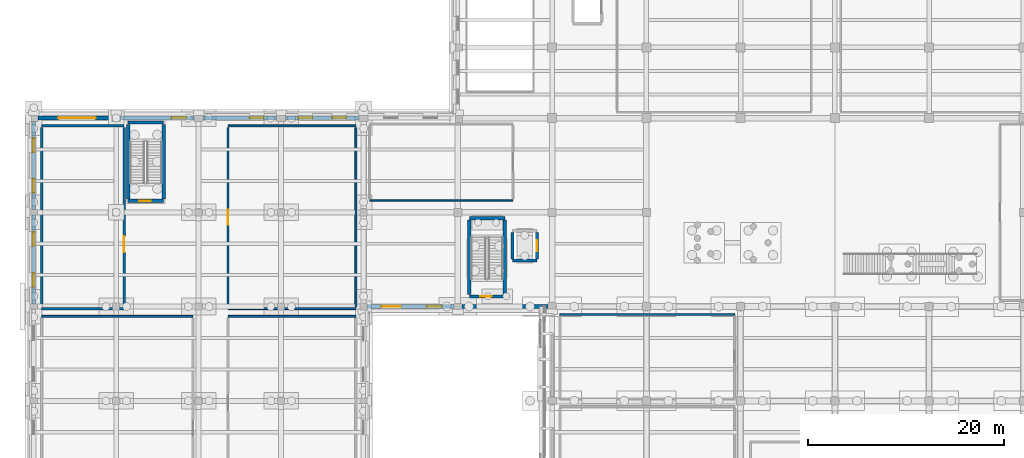
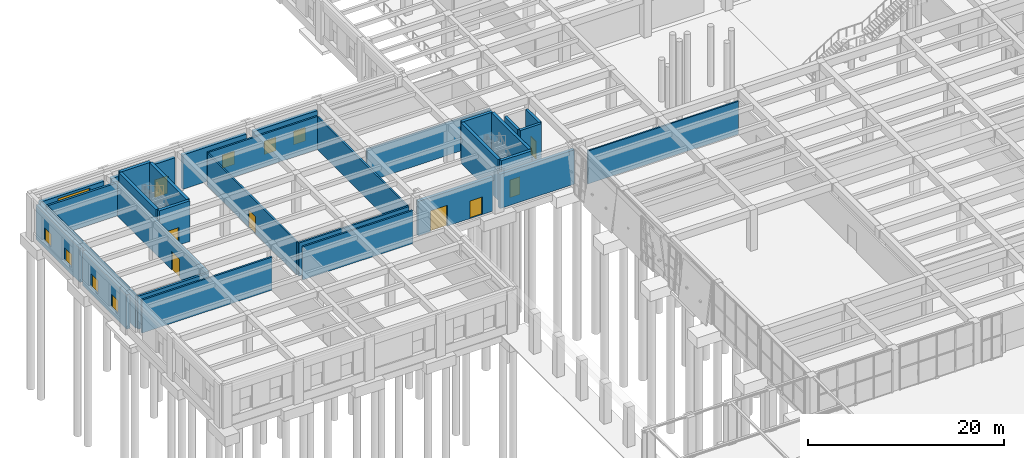
# One storey, part 32 of 51: 31 walls, 9 doors, 7 windows, 16 openings.
"""IFC4 building model written with IfcOpenShell, lengths in metres."""

from ifc_helpers import new_model, si_unit, direction, frame, frame_2d, origin, place, context, subcontext, project, spatial, rectangle, extrude, material, layer, layer_set, type_object, element, fill, save


model = new_model("IFC4")

# Units and contexts
model_context = context("Model", 3, precision=1e-05, world=origin(), true_north=direction((0.0, 1.0)))
body_context = subcontext(model_context, "Body", "Model", "MODEL_VIEW")
ifc_project = project(units=[si_unit("LENGTHUNIT", "METRE"), si_unit("AREAUNIT", "SQUARE_METRE"), si_unit("VOLUMEUNIT", "CUBIC_METRE"), si_unit("PLANEANGLEUNIT", "RADIAN"), si_unit("MASSUNIT", "GRAM", prefix="KILO")], contexts=[model_context])

# Site, building, storey
site_placement = place(None, origin())
site = spatial("IfcSite", under=ifc_project, at=site_placement, CompositionType="ELEMENT")
building_placement = place(site_placement, origin())
building = spatial("IfcBuilding", under=site, at=building_placement, Name="Bempovik Park Faculty of Sciences", CompositionType="ELEMENT")
storey_placement = place(building_placement, origin())
storey = spatial("IfcBuildingStorey", under=building, at=storey_placement, Name="L00", CompositionType="ELEMENT", Elevation=0.0)

# Wall, openings, doors
ifc_material_1 = material(Name="Precast concrete C40/50", Category="concrete")
ifc_layer_1 = layer(ifc_material_1, 0.3798828125)
ifc_layer_set_1 = layer_set([ifc_layer_1], Name="Precast concrete C40/50")
wall_type_1 = type_object("IfcWallType", Name="W-27 Wall 380mm", PredefinedType="SOLIDWALL", material=ifc_layer_set_1)
wall_1_placement = place(storey_placement, frame((41.162109375, 67.800048828125, 0.0), z_axis=(0.0, 0.0, 1.0), x_axis=(1.0, 0.0, 0.0)))
wall_1 = element("IfcWall", 1, at=wall_1_placement, inside=storey, type_object=wall_type_1, Name="L00 Classical Precast Facade Wall EW-L00-5657", PredefinedType="SOLIDWALL", context=body_context, shape_type="SweptSolid", body=[
    extrude(rectangle(XDim=8.8359375, YDim=0.3798828125, at=frame_2d((4.41796875, 0.0))), origin(), (0.0, 0.0, 1.0), 4.280029296875),
])
opening_1_placement = place(wall_1_placement, frame((1.43798828125, 0.0, 0.0)))
opening_1 = element("IfcOpeningElement", 2, at=opening_1_placement, cuts=wall_1, Name="Opening D-54", PredefinedType="OPENING", context=body_context, shape_type="SweptSolid", body=[
    extrude(rectangle(XDim=2.0, YDim=2.60009765625, at=frame_2d((1.0, 1.300048828125))), frame((0.0, 0.199951171875, 0.0), z_axis=(0.0, -1.0, 0.0), x_axis=(1.0, 0.0, 0.0)), (0.0, 0.0, 1.0), 0.39990234375),
])
opening_2_placement = place(wall_1_placement, frame((6.087890625, 0.0, 0.0)))
opening_2 = element("IfcOpeningElement", 3, at=opening_2_placement, cuts=wall_1, Name="Opening D-29", PredefinedType="OPENING", context=body_context, shape_type="SweptSolid", body=[
    extrude(rectangle(XDim=1.5, YDim=2.199951171875, at=frame_2d((0.75, 1.10009765625))), frame((0.0, 0.199951171875, 0.0), z_axis=(0.0, -1.0, 0.0), x_axis=(1.0, 0.0, 0.0)), (0.0, 0.0, 1.0), 0.39990234375),
])
ifc_material_2 = material(Name="Painted steel S355", Category="steel")
door_type_1 = type_object("IfcDoorType", Name="D-29 Door 1500x2200", OperationType="NOTDEFINED", PredefinedType="DOOR", material=ifc_material_2)
door_1_placement = place(opening_2_placement, frame((1.5, 0.0, 0.0), z_axis=(0.0, 0.0, 1.0), x_axis=(-1.0, 0.0, 0.0)))
door_1 = element("IfcDoor", 4, at=door_1_placement, inside=storey, type_object=door_type_1, Name="Stair ST-4 Final Court Discharge Door", OperationType="SINGLE_SWING_RIGHT", OverallHeight=2.199951171875, OverallWidth=1.5, PredefinedType="DOOR", context=body_context, shape_type="SweptSolid", body=[
    extrude(rectangle(XDim=1.5, YDim=2.199951171875, at=frame_2d((0.75, 1.10009765625))), frame((0.0, 0.02490234375, 0.0), z_axis=(0.0, -1.0, 0.0), x_axis=(1.0, 0.0, 0.0)), (0.0, 0.0, 1.0), 0.050048828125),
])
fill(opening_2, door_1)
ifc_material_3 = material(Name="Anodised architectural bronze")
door_type_2 = type_object("IfcDoorType", Name="D-54 Door 2000x2600", OperationType="NOTDEFINED", PredefinedType="DOOR", material=ifc_material_3)
door_2_placement = place(opening_1_placement, frame((2.0, 0.0, 0.0), z_axis=(0.0, 0.0, 1.0), x_axis=(-1.0, 0.0, 0.0)))
door_2 = element("IfcDoor", 5, at=door_2_placement, inside=storey, type_object=door_type_2, Name="West Park Court Concourse Entrance", OperationType="DOUBLE_DOOR_SINGLE_SWING", OverallHeight=2.60009765625, OverallWidth=2.0, PredefinedType="DOOR", context=body_context, shape_type="SweptSolid", body=[
    extrude(rectangle(XDim=2.0, YDim=2.60009765625, at=frame_2d((1.0, 1.300048828125))), frame((0.0, 0.02490234375, 0.0), z_axis=(0.0, -1.0, 0.0), x_axis=(1.0, 0.0, 0.0)), (0.0, 0.0, 1.0), 0.050048828125),
])
fill(opening_1, door_2)

# Wall
wall_2_placement = place(storey_placement, frame((50.802001953125, 67.800048828125, 0.0), z_axis=(0.0, 0.0, 1.0), x_axis=(1.0, 0.0, 0.0)))
element("IfcWall", 6, at=wall_2_placement, inside=storey, type_object=wall_type_1, Name="L00 Classical Precast Facade Wall EW-L00-5662", PredefinedType="SOLIDWALL", context=body_context, shape_type="SweptSolid", body=[
    extrude(rectangle(XDim=8.7958984375, YDim=0.3798828125, at=frame_2d((4.39794921875, 0.0))), origin(), (0.0, 0.0, 1.0), 4.280029296875),
])

# Wall, openings, windows
wall_3_placement = place(storey_placement, frame((7.199951171875, 68.072021484375, 0.0), z_axis=(0.0, 0.0, 1.0), x_axis=(0.0, 1.0, 0.0)))
wall_3 = element("IfcWall", 7, at=wall_3_placement, inside=storey, type_object=wall_type_1, Name="L00 Classical Precast Facade Wall EW-L00-5747", PredefinedType="SOLIDWALL", context=body_context, shape_type="SweptSolid", body=[
    extrude(rectangle(XDim=9.055908203125, YDim=0.3798828125, at=frame_2d((4.52783203125, 0.0))), origin(), (0.0, 0.0, 1.0), 4.280029296875),
])
opening_3_placement = place(wall_3_placement, frame((1.7451171875, 0.0, 0.85009765625)))
opening_3 = element("IfcOpeningElement", 8, at=opening_3_placement, cuts=wall_3, Name="Opening WN-84", PredefinedType="OPENING", context=body_context, shape_type="SweptSolid", body=[
    extrude(rectangle(XDim=1.39990234375, YDim=1.64990234375, at=frame_2d((0.699951171875, 0.824951171875))), frame((0.0, 0.199951171875, 0.0), z_axis=(0.0, -1.0, 0.0), x_axis=(1.0, 0.0, 0.0)), (0.0, 0.0, 1.0), 0.39990234375),
])
opening_4_placement = place(wall_3_placement, frame((5.910888671875, 0.0, 0.85009765625)))
opening_4 = element("IfcOpeningElement", 9, at=opening_4_placement, cuts=wall_3, Name="Opening WN-84", PredefinedType="OPENING", context=body_context, shape_type="SweptSolid", body=[
    extrude(rectangle(XDim=1.39990234375, YDim=1.64990234375, at=frame_2d((0.699951171875, 0.824951171875))), frame((0.0, 0.199951171875, 0.0), z_axis=(0.0, -1.0, 0.0), x_axis=(1.0, 0.0, 0.0)), (0.0, 0.0, 1.0), 0.39990234375),
])
ifc_material_4 = material(Name="Tempered laminated low-E glass", Category="glass")
window_type = type_object("IfcWindowType", Name="WN-84 Window 1400x1650", PartitioningType="SINGLE_PANEL", PredefinedType="WINDOW", material=ifc_material_4)
window_1_placement = place(opening_3_placement, origin())
window_1 = element("IfcWindow", 10, at=window_1_placement, inside=storey, type_object=window_type, Name="L00 Window EW-L00-5747-1", OverallHeight=1.64990234375, OverallWidth=1.39990234375, PartitioningType="SINGLE_PANEL", PredefinedType="WINDOW", context=body_context, shape_type="SweptSolid", body=[
    extrude(rectangle(XDim=1.39990234375, YDim=1.64990234375, at=frame_2d((0.699951171875, 0.824951171875))), frame((0.0, 0.030029296875, 0.0), z_axis=(0.0, -1.0, 0.0), x_axis=(1.0, 0.0, 0.0)), (0.0, 0.0, 1.0), 0.06005859375),
])
fill(opening_3, window_1)
window_2_placement = place(opening_4_placement, origin())
window_2 = element("IfcWindow", 11, at=window_2_placement, inside=storey, type_object=window_type, Name="L00 Window EW-L00-5747-2", OverallHeight=1.64990234375, OverallWidth=1.39990234375, PartitioningType="SINGLE_PANEL", PredefinedType="WINDOW", context=body_context, shape_type="SweptSolid", body=[
    extrude(rectangle(XDim=1.39990234375, YDim=1.64990234375, at=frame_2d((0.699951171875, 0.824951171875))), frame((0.0, 0.030029296875, 0.0), z_axis=(0.0, -1.0, 0.0), x_axis=(1.0, 0.0, 0.0)), (0.0, 0.0, 1.0), 0.06005859375),
])
fill(opening_4, window_2)

wall_4_placement = place(storey_placement, frame((7.199951171875, 77.672119140625, 0.0), z_axis=(0.0, 0.0, 1.0), x_axis=(0.0, 1.0, 0.0)))
wall_4 = element("IfcWall", 12, at=wall_4_placement, inside=storey, type_object=wall_type_1, Name="L00 Classical Precast Facade Wall EW-L00-5757", PredefinedType="SOLIDWALL", context=body_context, shape_type="SweptSolid", body=[
    extrude(rectangle(XDim=8.975830078125, YDim=0.3798828125, at=frame_2d((4.48779296875, 0.0))), origin(), (0.0, 0.0, 1.0), 4.280029296875),
])
opening_5_placement = place(wall_4_placement, frame((1.723388671875, 0.0, 0.85009765625)))
opening_5 = element("IfcOpeningElement", 13, at=opening_5_placement, cuts=wall_4, Name="Opening WN-84", PredefinedType="OPENING", context=body_context, shape_type="SweptSolid", body=[
    extrude(rectangle(XDim=1.39990234375, YDim=1.64990234375, at=frame_2d((0.699951171875, 0.824951171875))), frame((0.0, 0.199951171875, 0.0), z_axis=(0.0, -1.0, 0.0), x_axis=(1.0, 0.0, 0.0)), (0.0, 0.0, 1.0), 0.39990234375),
])
opening_6_placement = place(wall_4_placement, frame((5.8525390625, 0.0, 0.85009765625)))
opening_6 = element("IfcOpeningElement", 14, at=opening_6_placement, cuts=wall_4, Name="Opening WN-84", PredefinedType="OPENING", context=body_context, shape_type="SweptSolid", body=[
    extrude(rectangle(XDim=1.39990234375, YDim=1.64990234375, at=frame_2d((0.699951171875, 0.824951171875))), frame((0.0, 0.199951171875, 0.0), z_axis=(0.0, -1.0, 0.0), x_axis=(1.0, 0.0, 0.0)), (0.0, 0.0, 1.0), 0.39990234375),
])
window_3_placement = place(opening_5_placement, origin())
window_3 = element("IfcWindow", 15, at=window_3_placement, inside=storey, type_object=window_type, Name="L00 Window EW-L00-5757-1", OverallHeight=1.64990234375, OverallWidth=1.39990234375, PartitioningType="SINGLE_PANEL", PredefinedType="WINDOW", context=body_context, shape_type="SweptSolid", body=[
    extrude(rectangle(XDim=1.39990234375, YDim=1.64990234375, at=frame_2d((0.699951171875, 0.824951171875))), frame((0.0, 0.030029296875, 0.0), z_axis=(0.0, -1.0, 0.0), x_axis=(1.0, 0.0, 0.0)), (0.0, 0.0, 1.0), 0.06005859375),
])
fill(opening_5, window_3)
window_4_placement = place(opening_6_placement, origin())
window_4 = element("IfcWindow", 16, at=window_4_placement, inside=storey, type_object=window_type, Name="L00 Window EW-L00-5757-2", OverallHeight=1.64990234375, OverallWidth=1.39990234375, PartitioningType="SINGLE_PANEL", PredefinedType="WINDOW", context=body_context, shape_type="SweptSolid", body=[
    extrude(rectangle(XDim=1.39990234375, YDim=1.64990234375, at=frame_2d((0.699951171875, 0.824951171875))), frame((0.0, 0.030029296875, 0.0), z_axis=(0.0, -1.0, 0.0), x_axis=(1.0, 0.0, 0.0)), (0.0, 0.0, 1.0), 0.06005859375),
])
fill(opening_6, window_4)

# Wall, opening, door
wall_5_placement = place(storey_placement, frame((7.652099609375, 87.0, 0.0), z_axis=(0.0, 0.0, 1.0), x_axis=(1.0, 0.0, 0.0)))
wall_5 = element("IfcWall", 17, at=wall_5_placement, inside=storey, type_object=wall_type_1, Name="L00 Classical Precast Facade Wall EW-L00-5767", PredefinedType="SOLIDWALL", context=body_context, shape_type="SweptSolid", body=[
    extrude(rectangle(XDim=7.495849609375, YDim=0.3798828125, at=frame_2d((3.748046875, 0.0))), origin(), (0.0, 0.0, 1.0), 4.280029296875),
])
opening_7_placement = place(wall_5_placement, frame((2.048095703125, 0.0, 0.0)))
opening_7 = element("IfcOpeningElement", 18, at=opening_7_placement, cuts=wall_5, Name="Opening VG-02", PredefinedType="OPENING", context=body_context, shape_type="SweptSolid", body=[
    extrude(rectangle(XDim=3.800048828125, YDim=4.0, at=frame_2d((1.89990234375, 2.0))), frame((0.0, 0.199951171875, 0.0), z_axis=(0.0, -1.0, 0.0), x_axis=(1.0, 0.0, 0.0)), (0.0, 0.0, 1.0), 0.39990234375),
])
door_type_3 = type_object("IfcDoorType", Name="VG-02 Gate 3800x4000", OperationType="NOTDEFINED", PredefinedType="GATE", material=ifc_material_2)
door_3_placement = place(opening_7_placement, origin())
door_3 = element("IfcDoor", 19, at=door_3_placement, inside=storey, type_object=door_type_3, Name="Service Loading Bay Roller Shutter Gate VG-02", OperationType="ROLLINGUP", OverallHeight=4.0, OverallWidth=3.800048828125, PredefinedType="GATE", context=body_context, shape_type="SweptSolid", body=[
    extrude(rectangle(XDim=3.800048828125, YDim=4.0, at=frame_2d((1.89990234375, 2.0))), frame((0.0, 0.02490234375, 0.0), z_axis=(0.0, -1.0, 0.0), x_axis=(1.0, 0.0, 0.0)), (0.0, 0.0, 1.0), 0.050048828125),
])
fill(opening_7, door_3)

wall_6_placement = place(storey_placement, frame((16.052001953125, 87.0, 0.0), z_axis=(0.0, 0.0, 1.0), x_axis=(1.0, 0.0, 0.0)))
wall_6 = element("IfcWall", 20, at=wall_6_placement, inside=storey, type_object=wall_type_1, Name="L00 Classical Precast Facade Wall EW-L00-5772", PredefinedType="SOLIDWALL", context=body_context, shape_type="SweptSolid", body=[
    extrude(rectangle(XDim=7.49609375, YDim=0.3798828125, at=frame_2d((3.748046875, 0.0))), origin(), (0.0, 0.0, 1.0), 4.280029296875),
])
opening_8_placement = place(wall_6_placement, frame((5.197998046875, 0.0, 0.0)))
opening_8 = element("IfcOpeningElement", 21, at=opening_8_placement, cuts=wall_6, Name="Opening D-29", PredefinedType="OPENING", context=body_context, shape_type="SweptSolid", body=[
    extrude(rectangle(XDim=1.5, YDim=2.199951171875, at=frame_2d((0.75, 1.10009765625))), frame((0.0, 0.199951171875, 0.0), z_axis=(0.0, -1.0, 0.0), x_axis=(1.0, 0.0, 0.0)), (0.0, 0.0, 1.0), 0.39990234375),
])
door_4_placement = place(opening_8_placement, origin())
door_4 = element("IfcDoor", 22, at=door_4_placement, inside=storey, type_object=door_type_1, Name="Stair ST-3 Final Street Discharge Door", OperationType="SINGLE_SWING_LEFT", OverallHeight=2.199951171875, OverallWidth=1.5, PredefinedType="DOOR", context=body_context, shape_type="SweptSolid", body=[
    extrude(rectangle(XDim=1.5, YDim=2.199951171875, at=frame_2d((0.75, 1.10009765625))), frame((0.0, 0.02490234375, 0.0), z_axis=(0.0, -1.0, 0.0), x_axis=(1.0, 0.0, 0.0)), (0.0, 0.0, 1.0), 0.050048828125),
])
fill(opening_8, door_4)

# Wall, opening, window
wall_7_placement = place(storey_placement, frame((24.451904296875, 87.0, 0.0), z_axis=(0.0, 0.0, 1.0), x_axis=(1.0, 0.0, 0.0)))
wall_7 = element("IfcWall", 23, at=wall_7_placement, inside=storey, type_object=wall_type_1, Name="L00 Classical Precast Facade Wall EW-L00-5776", PredefinedType="SOLIDWALL", context=body_context, shape_type="SweptSolid", body=[
    extrude(rectangle(XDim=7.49609375, YDim=0.3798828125, at=frame_2d((3.748046875, 0.0))), origin(), (0.0, 0.0, 1.0), 4.280029296875),
])
opening_9_placement = place(wall_7_placement, frame((4.772216796875, 0.0, 0.85009765625)))
opening_9 = element("IfcOpeningElement", 24, at=opening_9_placement, cuts=wall_7, Name="Opening WN-84", PredefinedType="OPENING", context=body_context, shape_type="SweptSolid", body=[
    extrude(rectangle(XDim=1.39990234375, YDim=1.64990234375, at=frame_2d((0.699951171875, 0.824951171875))), frame((0.0, 0.199951171875, 0.0), z_axis=(0.0, -1.0, 0.0), x_axis=(1.0, 0.0, 0.0)), (0.0, 0.0, 1.0), 0.39990234375),
])
window_5_placement = place(opening_9_placement, origin())
window_5 = element("IfcWindow", 25, at=window_5_placement, inside=storey, type_object=window_type, Name="L00 Window EW-L00-5776-2", OverallHeight=1.64990234375, OverallWidth=1.39990234375, PartitioningType="SINGLE_PANEL", PredefinedType="WINDOW", context=body_context, shape_type="SweptSolid", body=[
    extrude(rectangle(XDim=1.39990234375, YDim=1.64990234375, at=frame_2d((0.699951171875, 0.824951171875))), frame((0.0, 0.030029296875, 0.0), z_axis=(0.0, -1.0, 0.0), x_axis=(1.0, 0.0, 0.0)), (0.0, 0.0, 1.0), 0.06005859375),
])
fill(opening_9, window_5)

# Wall, openings, windows
wall_8_placement = place(storey_placement, frame((32.85205078125, 87.0, 0.0), z_axis=(0.0, 0.0, 1.0), x_axis=(1.0, 0.0, 0.0)))
wall_8 = element("IfcWall", 26, at=wall_8_placement, inside=storey, type_object=wall_type_1, Name="L00 Classical Precast Facade Wall EW-L00-5784", PredefinedType="SOLIDWALL", context=body_context, shape_type="SweptSolid", body=[
    extrude(rectangle(XDim=7.495849609375, YDim=0.3798828125, at=frame_2d((3.748046875, 0.0))), origin(), (0.0, 0.0, 1.0), 4.280029296875),
])
opening_10_placement = place(wall_8_placement, frame((1.323974609375, 0.0, 0.85009765625)))
opening_10 = element("IfcOpeningElement", 27, at=opening_10_placement, cuts=wall_8, Name="Opening WN-84", PredefinedType="OPENING", context=body_context, shape_type="SweptSolid", body=[
    extrude(rectangle(XDim=1.39990234375, YDim=1.64990234375, at=frame_2d((0.699951171875, 0.824951171875))), frame((0.0, 0.199951171875, 0.0), z_axis=(0.0, -1.0, 0.0), x_axis=(1.0, 0.0, 0.0)), (0.0, 0.0, 1.0), 0.39990234375),
])
opening_11_placement = place(wall_8_placement, frame((4.772216796875, 0.0, 0.85009765625)))
opening_11 = element("IfcOpeningElement", 28, at=opening_11_placement, cuts=wall_8, Name="Opening WN-84", PredefinedType="OPENING", context=body_context, shape_type="SweptSolid", body=[
    extrude(rectangle(XDim=1.39990234375, YDim=1.64990234375, at=frame_2d((0.699951171875, 0.824951171875))), frame((0.0, 0.199951171875, 0.0), z_axis=(0.0, -1.0, 0.0), x_axis=(1.0, 0.0, 0.0)), (0.0, 0.0, 1.0), 0.39990234375),
])
window_6_placement = place(opening_10_placement, origin())
window_6 = element("IfcWindow", 29, at=window_6_placement, inside=storey, type_object=window_type, Name="L00 Window EW-L00-5784-1", OverallHeight=1.64990234375, OverallWidth=1.39990234375, PartitioningType="SINGLE_PANEL", PredefinedType="WINDOW", context=body_context, shape_type="SweptSolid", body=[
    extrude(rectangle(XDim=1.39990234375, YDim=1.64990234375, at=frame_2d((0.699951171875, 0.824951171875))), frame((0.0, 0.030029296875, 0.0), z_axis=(0.0, -1.0, 0.0), x_axis=(1.0, 0.0, 0.0)), (0.0, 0.0, 1.0), 0.06005859375),
])
fill(opening_10, window_6)
window_7_placement = place(opening_11_placement, origin())
window_7 = element("IfcWindow", 30, at=window_7_placement, inside=storey, type_object=window_type, Name="L00 Window EW-L00-5784-2", OverallHeight=1.64990234375, OverallWidth=1.39990234375, PartitioningType="SINGLE_PANEL", PredefinedType="WINDOW", context=body_context, shape_type="SweptSolid", body=[
    extrude(rectangle(XDim=1.39990234375, YDim=1.64990234375, at=frame_2d((0.699951171875, 0.824951171875))), frame((0.0, 0.030029296875, 0.0), z_axis=(0.0, -1.0, 0.0), x_axis=(1.0, 0.0, 0.0)), (0.0, 0.0, 1.0), 0.06005859375),
])
fill(opening_11, window_7)

# Walls
ifc_material_5 = material(Name="Concrete C40/50", Category="concrete")
ifc_layer_2 = layer(ifc_material_5, 0.300048828125)
ifc_layer_set_2 = layer_set([ifc_layer_2], Name="Concrete C40/50")
wall_type_2 = type_object("IfcWallType", Name="W-31 Wall 300mm", PredefinedType="SHEAR", material=ifc_layer_set_2)
wall_9_placement = place(storey_placement, frame((55.949951171875, 72.5, 0.0), z_axis=(0.0, 0.0, 1.0), x_axis=(1.0, 0.0, 0.0)))
element("IfcWall", 31, at=wall_9_placement, inside=storey, type_object=wall_type_2, Name="Lift LF-3 L00 Shaft Wall South", PredefinedType="SHEAR", context=body_context, shape_type="SweptSolid", body=[
    extrude(rectangle(XDim=2.5, YDim=0.300048828125, at=frame_2d((1.25, 0.0))), origin(), (0.0, 0.0, 1.0), 5.080078125),
])
wall_10_placement = place(storey_placement, frame((55.949951171875, 72.64990234375, 0.0), z_axis=(0.0, 0.0, 1.0), x_axis=(0.0, 1.0, 0.0)))
element("IfcWall", 32, at=wall_10_placement, inside=storey, type_object=wall_type_2, Name="Lift LF-3 L00 Shaft Wall West", PredefinedType="SHEAR", context=body_context, shape_type="SweptSolid", body=[
    extrude(rectangle(XDim=2.7001953125, YDim=0.300048828125, at=frame_2d((1.35009765625, 0.0))), origin(), (0.0, 0.0, 1.0), 5.080078125),
])

# Wall, opening, door
wall_11_placement = place(storey_placement, frame((58.449951171875, 72.64990234375, 0.0), z_axis=(0.0, 0.0, 1.0), x_axis=(0.0, 1.0, 0.0)))
wall_11 = element("IfcWall", 33, at=wall_11_placement, inside=storey, type_object=wall_type_2, Name="Lift LF-3 L00 Shaft Wall East", PredefinedType="SHEAR", context=body_context, shape_type="SweptSolid", body=[
    extrude(rectangle(XDim=2.7001953125, YDim=0.300048828125, at=frame_2d((1.35009765625, 0.0))), origin(), (0.0, 0.0, 1.0), 5.080078125),
])
opening_12_placement = place(wall_11_placement, frame((0.800048828125, 0.0, 0.0)))
opening_12 = element("IfcOpeningElement", 34, at=opening_12_placement, cuts=wall_11, Name="Opening LD-02", PredefinedType="OPENING", context=body_context, shape_type="SweptSolid", body=[
    extrude(rectangle(XDim=1.10009765625, YDim=2.199951171875, at=frame_2d((0.550048828125, 1.10009765625))), frame((0.0, 0.16015625, 0.0), z_axis=(0.0, -1.0, 0.0), x_axis=(1.0, 0.0, 0.0)), (0.0, 0.0, 1.0), 0.320068359375),
])
ifc_material_6 = material(Name="Anodised aluminium", Category="aluminium")
door_type_4 = type_object("IfcDoorType", Name="LD-02 Door 1100x2200", OperationType="NOTDEFINED", PredefinedType="DOOR", material=ifc_material_6)
door_5_placement = place(opening_12_placement, origin())
door_5 = element("IfcDoor", 35, at=door_5_placement, inside=storey, type_object=door_type_4, Name="Lift LF-3 L00 Sliding Landing Door", OperationType="SLIDING_TO_LEFT", OverallHeight=2.199951171875, OverallWidth=1.10009765625, PredefinedType="DOOR", context=body_context, shape_type="SweptSolid", body=[
    extrude(rectangle(XDim=1.10009765625, YDim=2.199951171875, at=frame_2d((0.550048828125, 1.10009765625))), frame((0.0, 0.02490234375, 0.0), z_axis=(0.0, -1.0, 0.0), x_axis=(1.0, 0.0, 0.0)), (0.0, 0.0, 1.0), 0.050048828125),
])
fill(opening_12, door_5)

# Walls
ifc_material_7 = material(Name="Concrete C35/45", Category="concrete")
ifc_layer_3 = layer(ifc_material_7, 0.25)
ifc_layer_set_3 = layer_set([ifc_layer_3], Name="Concrete C35/45")
wall_type_3 = type_object("IfcWallType", Name="W-32 Wall 250mm", PredefinedType="PARTITIONING", material=ifc_layer_set_3)
for number, where, z_axis, x_axis, name in (
    (36, (8.0, 67.60009765625, 0.0), (0.0, 0.0, 1.0), (1.0, 0.0, 0.0), "L00 Service Loading Bay and Goods Reception Partition South"),
    (37, (8.0, 86.199951171875, 0.0), (0.0, 0.0, 1.0), (1.0, 0.0, 0.0), "L00 Service Loading Bay and Goods Reception Partition North"),
):
    element("IfcWall", number, at=place(storey_placement, frame(where, z_axis=z_axis, x_axis=x_axis)), inside=storey, type_object=wall_type_3, Name=name, PredefinedType="PARTITIONING", context=body_context, shape_type="SweptSolid", body=[
        extrude(rectangle(XDim=8.39990234375, YDim=0.25, at=frame_2d((4.199951171875, 0.0))), origin(), (0.0, 0.0, 1.0), 4.1201171875),
    ])
wall_12_placement = place(storey_placement, frame((8.0, 67.760009765625, 0.0), z_axis=(0.0, 0.0, 1.0), x_axis=(0.0, 1.0, 0.0)))
element("IfcWall", 38, at=wall_12_placement, inside=storey, type_object=wall_type_3, Name="L00 Service Loading Bay and Goods Reception Partition West", PredefinedType="PARTITIONING", context=body_context, shape_type="SweptSolid", body=[
    extrude(rectangle(XDim=18.280029296875, YDim=0.25, at=frame_2d((9.14013671875, 0.0))), origin(), (0.0, 0.0, 1.0), 4.1201171875),
])

# Wall, opening, door
wall_13_placement = place(storey_placement, frame((16.39990234375, 67.760009765625, 0.0), z_axis=(0.0, 0.0, 1.0), x_axis=(0.0, 1.0, 0.0)))
wall_13 = element("IfcWall", 39, at=wall_13_placement, inside=storey, type_object=wall_type_3, Name="L00 Service Loading Bay and Goods Reception Partition East", PredefinedType="PARTITIONING", context=body_context, shape_type="SweptSolid", body=[
    extrude(rectangle(XDim=18.280029296875, YDim=0.25, at=frame_2d((9.14013671875, 0.0))), origin(), (0.0, 0.0, 1.0), 4.1201171875),
])
opening_13_placement = place(wall_13_placement, frame((5.597900390625, 0.0, 0.0)))
opening_13 = element("IfcOpeningElement", 40, at=opening_13_placement, cuts=wall_13, Name="Opening D-37", PredefinedType="OPENING", context=body_context, shape_type="SweptSolid", body=[
    extrude(rectangle(XDim=1.60009765625, YDim=2.300048828125, at=frame_2d((0.800048828125, 1.14990234375))), frame((0.0, 0.135009765625, 0.0), z_axis=(0.0, -1.0, 0.0), x_axis=(1.0, 0.0, 0.0)), (0.0, 0.0, 1.0), 0.27001953125),
])
door_type_5 = type_object("IfcDoorType", Name="D-37 Door 1600x2300", OperationType="NOTDEFINED", PredefinedType="DOOR", material=ifc_material_2)
door_6_placement = place(opening_13_placement, origin())
door_6 = element("IfcDoor", 41, at=door_6_placement, inside=storey, type_object=door_type_5, Name="L00 Service Loading Bay and Goods Reception Door", OperationType="SINGLE_SWING_LEFT", OverallHeight=2.300048828125, OverallWidth=1.60009765625, PredefinedType="DOOR", context=body_context, shape_type="SweptSolid", body=[
    extrude(rectangle(XDim=1.60009765625, YDim=2.300048828125, at=frame_2d((0.800048828125, 1.14990234375))), frame((0.0, 0.02490234375, 0.0), z_axis=(0.0, -1.0, 0.0), x_axis=(1.0, 0.0, 0.0)), (0.0, 0.0, 1.0), 0.050048828125),
])
fill(opening_13, door_6)

# Wall
ifc_material_8 = material(Name="Gypsum acoustic stud assembly")
ifc_layer_4 = layer(ifc_material_8, 0.14990234375)
ifc_layer_set_4 = layer_set([ifc_layer_4], Name="Gypsum acoustic stud assembly")
wall_type_4 = type_object("IfcWallType", Name="W-42 Wall 150mm", PredefinedType="PARTITIONING", material=ifc_layer_set_4)
wall_14_placement = place(storey_placement, frame((41.39990234375, 78.60009765625, 0.0), z_axis=(0.0, 0.0, 1.0), x_axis=(1.0, 0.0, 0.0)))
element("IfcWall", 42, at=wall_14_placement, inside=storey, type_object=wall_type_4, Name="L00 Parkside Faculty Cafe Partition South", PredefinedType="PARTITIONING", context=body_context, shape_type="SweptSolid", body=[
    extrude(rectangle(XDim=14.60009765625, YDim=0.14990234375, at=frame_2d((7.300048828125, 0.0))), origin(), (0.0, 0.0, 1.0), 4.1201171875),
])

# Wall, opening, door
ifc_layer_5 = layer(ifc_material_5, 0.35009765625)
ifc_layer_set_5 = layer_set([ifc_layer_5], Name="Concrete C40/50")
wall_type_5 = type_object("IfcWallType", Name="W-46 Wall 350mm", PredefinedType="SHEAR", material=ifc_layer_set_5)
wall_15_placement = place(storey_placement, frame((16.824951171875, 78.574951171875, 0.0), z_axis=(0.0, 0.0, 1.0), x_axis=(1.0, 0.0, 0.0)))
wall_15 = element("IfcWall", 43, at=wall_15_placement, inside=storey, type_object=wall_type_5, Name="ST-3 L00 Core Shear Wall South", PredefinedType="SHEAR", context=body_context, shape_type="SweptSolid", body=[
    extrude(rectangle(XDim=3.60009765625, YDim=0.35009765625, at=frame_2d((1.800048828125, 0.0))), origin(), (0.0, 0.0, 1.0), 5.080078125),
])
opening_14_placement = place(wall_15_placement, frame((1.10009765625, 0.0, 0.0)))
opening_14 = element("IfcOpeningElement", 44, at=opening_14_placement, cuts=wall_15, Name="Opening D-49", PredefinedType="OPENING", context=body_context, shape_type="SweptSolid", body=[
    extrude(rectangle(XDim=1.199951171875, YDim=2.199951171875, at=frame_2d((0.60009765625, 1.10009765625))), frame((0.0, 0.18505859375, 0.0), z_axis=(0.0, -1.0, 0.0), x_axis=(1.0, 0.0, 0.0)), (0.0, 0.0, 1.0), 0.3701171875),
])
door_type_6 = type_object("IfcDoorType", Name="D-49 Door 1200x2200", OperationType="NOTDEFINED", PredefinedType="DOOR", material=ifc_material_2)
door_7_placement = place(opening_14_placement, origin())
door_7 = element("IfcDoor", 45, at=door_7_placement, inside=storey, type_object=door_type_6, Name="ST-3 L00 Protected Stair Smoke Door", OperationType="SINGLE_SWING_LEFT", OverallHeight=2.199951171875, OverallWidth=1.199951171875, PredefinedType="DOOR", context=body_context, shape_type="SweptSolid", body=[
    extrude(rectangle(XDim=1.199951171875, YDim=2.199951171875, at=frame_2d((0.60009765625, 1.10009765625))), frame((0.0, 0.02490234375, 0.0), z_axis=(0.0, -1.0, 0.0), x_axis=(1.0, 0.0, 0.0)), (0.0, 0.0, 1.0), 0.050048828125),
])
fill(opening_14, door_7)

# Walls
for number, where, z_axis, x_axis, name in (
    (46, (16.824951171875, 78.77490234375, 0.0), (0.0, 0.0, 1.0), (0.0, 1.0, 0.0), "ST-3 L00 Core Shear Wall West"),
    (47, (20.425048828125, 78.77490234375, 0.0), (0.0, 0.0, 1.0), (0.0, 1.0, 0.0), "ST-3 L00 Core Shear Wall East"),
):
    element("IfcWall", number, at=place(storey_placement, frame(where, z_axis=z_axis, x_axis=x_axis)), inside=storey, type_object=wall_type_5, Name=name, PredefinedType="SHEAR", context=body_context, shape_type="SweptSolid", body=[
        extrude(rectangle(XDim=7.5751953125, YDim=0.35009765625, at=frame_2d((3.78759765625, 0.0))), origin(), (0.0, 0.0, 1.0), 5.080078125),
    ])
wall_16_placement = place(storey_placement, frame((16.824951171875, 86.550048828125, 0.0), z_axis=(0.0, 0.0, 1.0), x_axis=(1.0, 0.0, 0.0)))
element("IfcWall", 48, at=wall_16_placement, inside=storey, type_object=wall_type_5, Name="ST-3 L00 Core Shear Wall North", PredefinedType="SHEAR", context=body_context, shape_type="SweptSolid", body=[
    extrude(rectangle(XDim=3.60009765625, YDim=0.35009765625, at=frame_2d((1.800048828125, 0.0))), origin(), (0.0, 0.0, 1.0), 5.080078125),
])

# Wall, opening, door
wall_17_placement = place(storey_placement, frame((51.574951171875, 68.824951171875, 0.0), z_axis=(0.0, 0.0, 1.0), x_axis=(1.0, 0.0, 0.0)))
wall_17 = element("IfcWall", 49, at=wall_17_placement, inside=storey, type_object=wall_type_5, Name="ST-4 L00 Core Shear Wall South", PredefinedType="SHEAR", context=body_context, shape_type="SweptSolid", body=[
    extrude(rectangle(XDim=3.60009765625, YDim=0.35009765625, at=frame_2d((1.800048828125, 0.0))), origin(), (0.0, 0.0, 1.0), 5.080078125),
])
opening_15_placement = place(wall_17_placement, frame((1.10009765625, 0.0, 0.0)))
opening_15 = element("IfcOpeningElement", 50, at=opening_15_placement, cuts=wall_17, Name="Opening D-49", PredefinedType="OPENING", context=body_context, shape_type="SweptSolid", body=[
    extrude(rectangle(XDim=1.199951171875, YDim=2.199951171875, at=frame_2d((0.60009765625, 1.10009765625))), frame((0.0, 0.18505859375, 0.0), z_axis=(0.0, -1.0, 0.0), x_axis=(1.0, 0.0, 0.0)), (0.0, 0.0, 1.0), 0.3701171875),
])
door_8_placement = place(opening_15_placement, origin())
door_8 = element("IfcDoor", 51, at=door_8_placement, inside=storey, type_object=door_type_6, Name="ST-4 L00 Protected Stair Smoke Door", OperationType="SINGLE_SWING_LEFT", OverallHeight=2.199951171875, OverallWidth=1.199951171875, PredefinedType="DOOR", context=body_context, shape_type="SweptSolid", body=[
    extrude(rectangle(XDim=1.199951171875, YDim=2.199951171875, at=frame_2d((0.60009765625, 1.10009765625))), frame((0.0, 0.02490234375, 0.0), z_axis=(0.0, -1.0, 0.0), x_axis=(1.0, 0.0, 0.0)), (0.0, 0.0, 1.0), 0.050048828125),
])
fill(opening_15, door_8)

# Walls
for number, where, z_axis, x_axis, name in (
    (52, (51.574951171875, 69.02490234375, 0.0), (0.0, 0.0, 1.0), (0.0, 1.0, 0.0), "ST-4 L00 Core Shear Wall West"),
    (53, (55.175048828125, 69.02490234375, 0.0), (0.0, 0.0, 1.0), (0.0, 1.0, 0.0), "ST-4 L00 Core Shear Wall East"),
):
    element("IfcWall", number, at=place(storey_placement, frame(where, z_axis=z_axis, x_axis=x_axis)), inside=storey, type_object=wall_type_5, Name=name, PredefinedType="SHEAR", context=body_context, shape_type="SweptSolid", body=[
        extrude(rectangle(XDim=7.5751953125, YDim=0.35009765625, at=frame_2d((3.78759765625, 0.0))), origin(), (0.0, 0.0, 1.0), 5.080078125),
    ])
wall_18_placement = place(storey_placement, frame((51.574951171875, 76.800048828125, 0.0), z_axis=(0.0, 0.0, 1.0), x_axis=(1.0, 0.0, 0.0)))
element("IfcWall", 54, at=wall_18_placement, inside=storey, type_object=wall_type_5, Name="ST-4 L00 Core Shear Wall North", PredefinedType="SHEAR", context=body_context, shape_type="SweptSolid", body=[
    extrude(rectangle(XDim=3.60009765625, YDim=0.35009765625, at=frame_2d((1.800048828125, 0.0))), origin(), (0.0, 0.0, 1.0), 5.080078125),
])
ifc_layer_6 = layer(ifc_material_7, 0.169921875)
ifc_layer_set_6 = layer_set([ifc_layer_6], Name="Concrete C35/45")
wall_type_6 = type_object("IfcWallType", Name="W-50 Wall 170mm", PredefinedType="PARTITIONING", material=ifc_layer_set_6)
wall_19_placement = place(storey_placement, frame((60.800048828125, 67.0, 0.0), z_axis=(0.0, 0.0, 1.0), x_axis=(1.0, 0.0, 0.0)))
element("IfcWall", 55, at=wall_19_placement, inside=storey, type_object=wall_type_6, Name="L00 Lecture Demonstration Preparation Room Partition North", PredefinedType="PARTITIONING", context=body_context, shape_type="SweptSolid", body=[
    extrude(rectangle(XDim=17.800048828125, YDim=0.169921875, at=frame_2d((8.89990234375, 0.0))), origin(), (0.0, 0.0, 1.0), 4.1201171875),
])
ifc_layer_7 = layer(ifc_material_7, 0.199951171875)
ifc_layer_set_7 = layer_set([ifc_layer_7], Name="Concrete C35/45")
wall_type_7 = type_object("IfcWallType", Name="W-59 Wall 200mm", PredefinedType="PARTITIONING", material=ifc_layer_set_7)
wall_20_placement = place(storey_placement, frame((8.0, 66.800048828125, 0.0), z_axis=(0.0, 0.0, 1.0), x_axis=(1.0, 0.0, 0.0)))
element("IfcWall", 56, at=wall_20_placement, inside=storey, type_object=wall_type_7, Name="L00 Foundation Chemistry Teaching Laboratory Partition North", PredefinedType="PARTITIONING", context=body_context, shape_type="SweptSolid", body=[
    extrude(rectangle(XDim=15.39990234375, YDim=0.199951171875, at=frame_2d((7.699951171875, 0.0))), origin(), (0.0, 0.0, 1.0), 4.1201171875),
])
for number, where, z_axis, x_axis, name in (
    (57, (27.0, 66.800048828125, 0.0), (0.0, 0.0, 1.0), (1.0, 0.0, 0.0), "L00 Foundation Physics Teaching Laboratory Partition North"),
    (58, (27.0, 67.60009765625, 0.0), (0.0, 0.0, 1.0), (1.0, 0.0, 0.0), "L00 General Biology Teaching Laboratory Partition South"),
    (59, (27.0, 86.199951171875, 0.0), (0.0, 0.0, 1.0), (1.0, 0.0, 0.0), "L00 General Biology Teaching Laboratory Partition North"),
):
    element("IfcWall", number, at=place(storey_placement, frame(where, z_axis=z_axis, x_axis=x_axis)), inside=storey, type_object=wall_type_7, Name=name, PredefinedType="PARTITIONING", context=body_context, shape_type="SweptSolid", body=[
        extrude(rectangle(XDim=13.0, YDim=0.199951171875, at=frame_2d((6.5, 0.0))), origin(), (0.0, 0.0, 1.0), 4.1201171875),
    ])

# Wall, opening, door
wall_21_placement = place(storey_placement, frame((27.0, 67.760009765625, 0.0), z_axis=(0.0, 0.0, 1.0), x_axis=(0.0, 1.0, 0.0)))
wall_21 = element("IfcWall", 60, at=wall_21_placement, inside=storey, type_object=wall_type_7, Name="L00 General Biology Teaching Laboratory Partition West", PredefinedType="PARTITIONING", context=body_context, shape_type="SweptSolid", body=[
    extrude(rectangle(XDim=18.280029296875, YDim=0.199951171875, at=frame_2d((9.14013671875, 0.0))), origin(), (0.0, 0.0, 1.0), 4.1201171875),
])
opening_16_placement = place(wall_21_placement, frame((8.389892578125, 0.0, 0.0)))
opening_16 = element("IfcOpeningElement", 61, at=opening_16_placement, cuts=wall_21, Name="Opening D-22", PredefinedType="OPENING", context=body_context, shape_type="SweptSolid", body=[
    extrude(rectangle(XDim=1.5, YDim=2.199951171875, at=frame_2d((0.75, 1.10009765625))), frame((0.0, 0.10986328125, 0.0), z_axis=(0.0, -1.0, 0.0), x_axis=(1.0, 0.0, 0.0)), (0.0, 0.0, 1.0), 0.219970703125),
])
ifc_material_9 = material(Name="West African hardwood finish", Category="wood")
door_type_7 = type_object("IfcDoorType", Name="D-22 Door 1500x2200", OperationType="NOTDEFINED", PredefinedType="DOOR", material=ifc_material_9)
door_9_placement = place(opening_16_placement, origin())
door_9 = element("IfcDoor", 62, at=door_9_placement, inside=storey, type_object=door_type_7, Name="L00 General Biology Teaching Laboratory Door", OperationType="SINGLE_SWING_RIGHT", OverallHeight=2.199951171875, OverallWidth=1.5, PredefinedType="DOOR", context=body_context, shape_type="SweptSolid", body=[
    extrude(rectangle(XDim=1.5, YDim=2.199951171875, at=frame_2d((0.75, 1.10009765625))), frame((0.0, 0.02490234375, 0.0), z_axis=(0.0, -1.0, 0.0), x_axis=(1.0, 0.0, 0.0)), (0.0, 0.0, 1.0), 0.050048828125),
])
fill(opening_16, door_9)

# Wall
wall_22_placement = place(storey_placement, frame((40.0, 67.760009765625, 0.0), z_axis=(0.0, 0.0, 1.0), x_axis=(0.0, 1.0, 0.0)))
element("IfcWall", 63, at=wall_22_placement, inside=storey, type_object=wall_type_7, Name="L00 General Biology Teaching Laboratory Partition East", PredefinedType="PARTITIONING", context=body_context, shape_type="SweptSolid", body=[
    extrude(rectangle(XDim=18.280029296875, YDim=0.199951171875, at=frame_2d((9.14013671875, 0.0))), origin(), (0.0, 0.0, 1.0), 4.1201171875),
])

save(model, "model.ifc")
